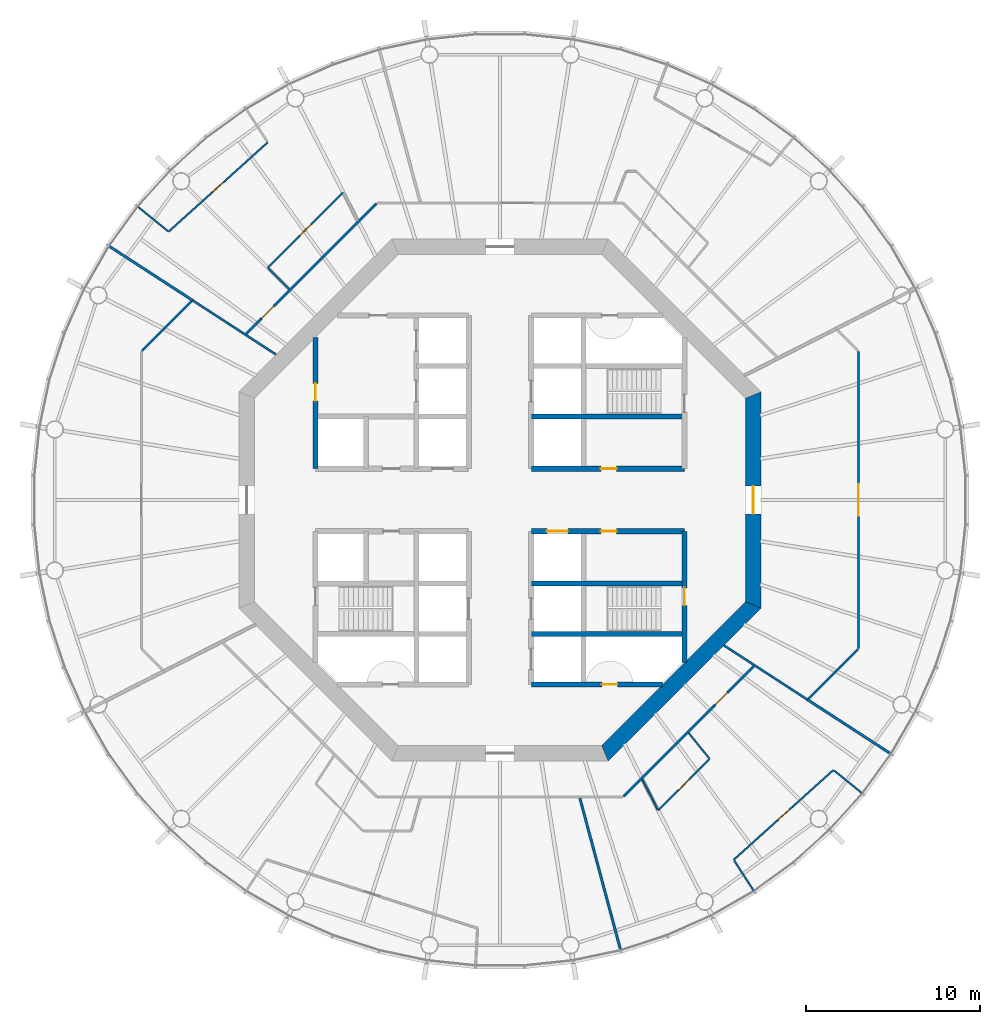
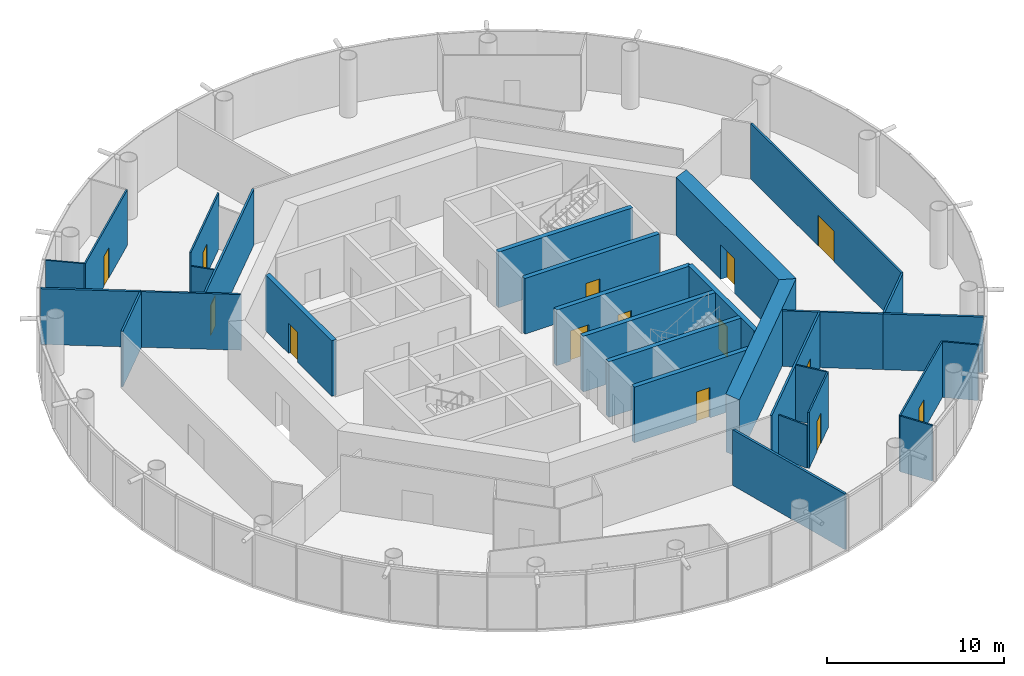
# One storey, part 4 of 13: 30 walls, 14 doors, 14 openings.
"""IFC4 building model written with IfcOpenShell, lengths in metres."""

from ifc_helpers import new_model, si_unit, direction, frame, frame_2d, origin, place, context, subcontext, project, spatial, polyline, rectangle, outline, extrude, material, layer, layer_set, type_object, element, fill, save


model = new_model("IFC4")

# Units and contexts
model_context = context("Model", 3, precision=1e-05, world=origin(), true_north=direction((0.0, 1.0)))
body_context = subcontext(model_context, "Body", "Model", "MODEL_VIEW")
ifc_project = project(units=[si_unit("LENGTHUNIT", "METRE"), si_unit("AREAUNIT", "SQUARE_METRE"), si_unit("VOLUMEUNIT", "CUBIC_METRE"), si_unit("PLANEANGLEUNIT", "RADIAN"), si_unit("MASSUNIT", "GRAM", prefix="KILO")], contexts=[model_context])

# Site, building, storey
site_placement = place(None, origin())
site = spatial("IfcSite", under=ifc_project, at=site_placement, CompositionType="ELEMENT")
building_placement = place(site_placement, origin())
building = spatial("IfcBuilding", under=site, at=building_placement, Name="Entoto Ring Tower", CompositionType="ELEMENT")
storey_placement = place(building_placement, frame((0.0, 0.0, 226.0)))
storey = spatial("IfcBuildingStorey", under=building, at=storey_placement, Name="L52", CompositionType="ELEMENT", Elevation=226.0)

# Wall, opening, door
ifc_material_1 = material(Name="Concrete C40/50", Category="concrete")
ifc_layer_1 = layer(ifc_material_1, 0.300048828125)
ifc_layer_set_1 = layer_set([ifc_layer_1], Name="Concrete C40/50")
wall_type_1 = type_object("IfcWallType", Name="Core enclosure wall 300 mm reinforced concrete", PredefinedType="SOLIDWALL", material=ifc_layer_set_1)
wall_1_placement = place(storey_placement, frame((100.60009765625, 70.65966796875, 0.0), z_axis=(0.0, 0.0, 1.0), x_axis=(0.0, 1.0, 0.0)))
wall_1 = element("IfcWall", 1, at=wall_1_placement, inside=storey, type_object=wall_type_1, Name="wall-L52-001", PredefinedType="SOLIDWALL", context=body_context, shape_type="SweptSolid", body=[
    extrude(rectangle(XDim=7.540283203125, YDim=0.300048828125, at=frame_2d((3.77001953125, 0.0))), origin(), (0.0, 0.0, 1.0), 3.85009765625),
])
opening_1_placement = place(wall_1_placement, frame((3.290283203125, 0.0, 0.0)))
opening_1 = element("IfcOpeningElement", 2, at=opening_1_placement, cuts=wall_1, Name="Opening K-17", PredefinedType="OPENING", context=body_context, shape_type="SweptSolid", body=[
    extrude(rectangle(XDim=1.0, YDim=2.10009765625, at=frame_2d((0.5, 1.050048828125))), frame((0.0, 0.16015625, 0.0), z_axis=(0.0, -1.0, 0.0), x_axis=(1.0, 0.0, 0.0)), (0.0, 0.0, 1.0), 0.320068359375),
])
ifc_material_2 = material(Name="Steel door leaf, fire rated", Category="steel")
ifc_layer_2 = layer(ifc_material_2, 0.050048828125)
ifc_layer_set_2 = layer_set([ifc_layer_2], Name="Steel door leaf, fire rated")
door_type_1 = type_object("IfcDoorType", Name="Fire door FD60 1000 x 2100 single leaf", OperationType="NOTDEFINED", PredefinedType="DOOR", material=ifc_layer_set_2)
door_1_placement = place(opening_1_placement, origin())
door_1 = element("IfcDoor", 3, at=door_1_placement, inside=storey, type_object=door_type_1, Name="Door K-17", OperationType="SINGLE_SWING_RIGHT", OverallHeight=2.10009765625, OverallWidth=1.0, PredefinedType="DOOR", context=body_context, shape_type="SweptSolid", body=[
    extrude(rectangle(XDim=1.0, YDim=2.10009765625, at=frame_2d((0.5, 1.050048828125))), frame((0.0, 0.02490234375, 0.0), z_axis=(0.0, -1.0, 0.0), x_axis=(1.0, 0.0, 0.0)), (0.0, 0.0, 1.0), 0.050048828125),
])
fill(opening_1, door_1)

wall_2_placement = place(storey_placement, frame((79.39990234375, 81.800048828125, 0.0), z_axis=(0.0, 0.0, 1.0), x_axis=(0.0, 1.0, 0.0)))
wall_2 = element("IfcWall", 4, at=wall_2_placement, inside=storey, type_object=wall_type_1, Name="wall-L52-014", PredefinedType="SOLIDWALL", context=body_context, shape_type="SweptSolid", body=[
    extrude(rectangle(XDim=7.540283203125, YDim=0.300048828125, at=frame_2d((3.77001953125, 0.0))), origin(), (0.0, 0.0, 1.0), 3.85009765625),
])
opening_2_placement = place(wall_2_placement, frame((3.89990234375, 0.0, 0.0)))
opening_2 = element("IfcOpeningElement", 5, at=opening_2_placement, cuts=wall_2, Name="Opening K-67", PredefinedType="OPENING", context=body_context, shape_type="SweptSolid", body=[
    extrude(rectangle(XDim=1.0, YDim=2.10009765625, at=frame_2d((0.5, 1.050048828125))), frame((0.0, 0.16015625, 0.0), z_axis=(0.0, -1.0, 0.0), x_axis=(1.0, 0.0, 0.0)), (0.0, 0.0, 1.0), 0.320068359375),
])
door_2_placement = place(opening_2_placement, frame((1.0, 0.0, 0.0), z_axis=(0.0, 0.0, 1.0), x_axis=(-1.0, 0.0, 0.0)))
door_2 = element("IfcDoor", 6, at=door_2_placement, inside=storey, type_object=door_type_1, Name="Door K-67", OperationType="SINGLE_SWING_RIGHT", OverallHeight=2.10009765625, OverallWidth=1.0, PredefinedType="DOOR", context=body_context, shape_type="SweptSolid", body=[
    extrude(rectangle(XDim=1.0, YDim=2.10009765625, at=frame_2d((0.5, 1.050048828125))), frame((0.0, 0.02490234375, 0.0), z_axis=(0.0, -1.0, 0.0), x_axis=(1.0, 0.0, 0.0)), (0.0, 0.0, 1.0), 0.050048828125),
])
fill(opening_2, door_2)

wall_3_placement = place(storey_placement, frame((91.800048828125, 69.39990234375, 0.0), z_axis=(0.0, 0.0, 1.0), x_axis=(1.0, 0.0, 0.0)))
wall_3 = element("IfcWall", 7, at=wall_3_placement, inside=storey, type_object=wall_type_1, Name="wall-L52-016", PredefinedType="SOLIDWALL", context=body_context, shape_type="SweptSolid", body=[
    extrude(rectangle(XDim=7.540283203125, YDim=0.300048828125, at=frame_2d((3.77001953125, 0.0))), origin(), (0.0, 0.0, 1.0), 3.85009765625),
])
opening_3_placement = place(wall_3_placement, frame((4.050048828125, 0.0, 0.0)))
opening_3 = element("IfcOpeningElement", 8, at=opening_3_placement, cuts=wall_3, Name="Opening K-20", PredefinedType="OPENING", context=body_context, shape_type="SweptSolid", body=[
    extrude(rectangle(XDim=0.89990234375, YDim=2.10009765625, at=frame_2d((0.449951171875, 1.050048828125))), frame((0.0, 0.16015625, 0.0), z_axis=(0.0, -1.0, 0.0), x_axis=(1.0, 0.0, 0.0)), (0.0, 0.0, 1.0), 0.320068359375),
])
ifc_material_3 = material(Name="Steel door leaf, fire rated", Category="steel")
ifc_layer_3 = layer(ifc_material_3, 0.050048828125)
ifc_layer_set_3 = layer_set([ifc_layer_3], Name="Steel door leaf, fire rated")
door_type_2 = type_object("IfcDoorType", Name="Riser door FD60 900 x 2100 single leaf", OperationType="NOTDEFINED", PredefinedType="DOOR", material=ifc_layer_set_3)
door_3_placement = place(opening_3_placement, origin())
door_3 = element("IfcDoor", 9, at=door_3_placement, inside=storey, type_object=door_type_2, Name="Door K-20", OperationType="SINGLE_SWING_LEFT", OverallHeight=2.10009765625, OverallWidth=0.89990234375, PredefinedType="DOOR", context=body_context, shape_type="SweptSolid", body=[
    extrude(rectangle(XDim=0.89990234375, YDim=2.10009765625, at=frame_2d((0.449951171875, 1.050048828125))), frame((0.0, 0.02490234375, 0.0), z_axis=(0.0, -1.0, 0.0), x_axis=(1.0, 0.0, 0.0)), (0.0, 0.0, 1.0), 0.050048828125),
])
fill(opening_3, door_3)

# Walls
for number, where, z_axis, x_axis, name in (
    (10, (91.800048828125, 72.300048828125, 0.0), (0.0, 0.0, 1.0), (1.0, 0.0, 0.0), "wall-L52-018"),
    (11, (91.800048828125, 75.199951171875, 0.0), (0.0, 0.0, 1.0), (1.0, 0.0, 0.0), "wall-L52-020"),
):
    element("IfcWall", number, at=place(storey_placement, frame(where, z_axis=z_axis, x_axis=x_axis)), inside=storey, type_object=wall_type_1, Name=name, PredefinedType="SOLIDWALL", context=body_context, shape_type="SweptSolid", body=[
        extrude(rectangle(XDim=8.800048828125, YDim=0.300048828125, at=frame_2d((4.39990234375, 0.0))), origin(), (0.0, 0.0, 1.0), 3.85009765625),
    ])

# Wall, openings, doors
wall_4_placement = place(storey_placement, frame((91.800048828125, 78.199951171875, 0.0), z_axis=(0.0, 0.0, 1.0), x_axis=(1.0, 0.0, 0.0)))
wall_4 = element("IfcWall", 12, at=wall_4_placement, inside=storey, type_object=wall_type_1, Name="wall-L52-022", PredefinedType="SOLIDWALL", context=body_context, shape_type="SweptSolid", body=[
    extrude(rectangle(XDim=8.800048828125, YDim=0.300048828125, at=frame_2d((4.39990234375, 0.0))), origin(), (0.0, 0.0, 1.0), 3.85009765625),
])
opening_4_placement = place(wall_4_placement, frame((0.89990234375, 0.0, 0.0)))
opening_4 = element("IfcOpeningElement", 13, at=opening_4_placement, cuts=wall_4, Name="Opening LD", PredefinedType="OPENING", context=body_context, shape_type="SweptSolid", body=[
    extrude(rectangle(XDim=1.199951171875, YDim=2.10009765625, at=frame_2d((0.60009765625, 1.050048828125))), frame((0.0, 0.16015625, 0.0), z_axis=(0.0, -1.0, 0.0), x_axis=(1.0, 0.0, 0.0)), (0.0, 0.0, 1.0), 0.320068359375),
])
opening_5_placement = place(wall_4_placement, frame((4.0, 0.0, 0.0)))
opening_5 = element("IfcOpeningElement", 14, at=opening_5_placement, cuts=wall_4, Name="Opening K-12", PredefinedType="OPENING", context=body_context, shape_type="SweptSolid", body=[
    extrude(rectangle(XDim=0.89990234375, YDim=2.10009765625, at=frame_2d((0.449951171875, 1.050048828125))), frame((0.0, 0.16015625, 0.0), z_axis=(0.0, -1.0, 0.0), x_axis=(1.0, 0.0, 0.0)), (0.0, 0.0, 1.0), 0.320068359375),
])
ifc_material_4 = material(Name="Steel door leaf, fire rated", Category="steel")
ifc_layer_4 = layer(ifc_material_4, 0.050048828125)
ifc_layer_set_4 = layer_set([ifc_layer_4], Name="Steel door leaf, fire rated")
door_type_3 = type_object("IfcDoorType", Name="Core door 900 x 2100 single leaf", OperationType="NOTDEFINED", PredefinedType="DOOR", material=ifc_layer_set_4)
door_4_placement = place(opening_5_placement, frame((0.89990234375, 0.0, 0.0), z_axis=(0.0, 0.0, 1.0), x_axis=(-1.0, 0.0, 0.0)))
door_4 = element("IfcDoor", 15, at=door_4_placement, inside=storey, type_object=door_type_3, Name="Door K-12", OperationType="SINGLE_SWING_RIGHT", OverallHeight=2.10009765625, OverallWidth=0.89990234375, PredefinedType="DOOR", context=body_context, shape_type="SweptSolid", body=[
    extrude(rectangle(XDim=0.89990234375, YDim=2.10009765625, at=frame_2d((0.449951171875, 1.050048828125))), frame((0.0, 0.02490234375, 0.0), z_axis=(0.0, -1.0, 0.0), x_axis=(1.0, 0.0, 0.0)), (0.0, 0.0, 1.0), 0.050048828125),
])
fill(opening_5, door_4)
ifc_material_5 = material(Name="Steel and glass door leaf", Category="steel")
ifc_layer_5 = layer(ifc_material_5, 0.050048828125)
ifc_layer_set_5 = layer_set([ifc_layer_5], Name="Steel and glass door leaf")
door_type_4 = type_object("IfcDoorType", Name="Landing door 1200 x 2100 sliding", OperationType="DOUBLE_DOOR_SLIDING", PredefinedType="DOOR", material=ifc_layer_set_5)
door_5_placement = place(opening_4_placement, origin())
door_5 = element("IfcDoor", 16, at=door_5_placement, inside=storey, type_object=door_type_4, Name="Landing door LB6-MR", OperationType="SLIDING_TO_LEFT", OverallHeight=2.10009765625, OverallWidth=1.199951171875, PredefinedType="DOOR", context=body_context, shape_type="SweptSolid", body=[
    extrude(rectangle(XDim=1.199951171875, YDim=2.10009765625, at=frame_2d((0.60009765625, 1.050048828125))), frame((0.0, 0.02490234375, 0.0), z_axis=(0.0, -1.0, 0.0), x_axis=(1.0, 0.0, 0.0)), (0.0, 0.0, 1.0), 0.050048828125),
])
fill(opening_4, door_5)

# Wall, opening, door
wall_5_placement = place(storey_placement, frame((91.800048828125, 81.800048828125, 0.0), z_axis=(0.0, 0.0, 1.0), x_axis=(1.0, 0.0, 0.0)))
wall_5 = element("IfcWall", 17, at=wall_5_placement, inside=storey, type_object=wall_type_1, Name="wall-L52-024", PredefinedType="SOLIDWALL", context=body_context, shape_type="SweptSolid", body=[
    extrude(rectangle(XDim=8.800048828125, YDim=0.300048828125, at=frame_2d((4.39990234375, 0.0))), origin(), (0.0, 0.0, 1.0), 3.85009765625),
])
opening_6_placement = place(wall_5_placement, frame((4.0, 0.0, 0.0)))
opening_6 = element("IfcOpeningElement", 18, at=opening_6_placement, cuts=wall_5, Name="Opening K-11", PredefinedType="OPENING", context=body_context, shape_type="SweptSolid", body=[
    extrude(rectangle(XDim=0.89990234375, YDim=2.10009765625, at=frame_2d((0.449951171875, 1.050048828125))), frame((0.0, 0.16015625, 0.0), z_axis=(0.0, -1.0, 0.0), x_axis=(1.0, 0.0, 0.0)), (0.0, 0.0, 1.0), 0.320068359375),
])
door_6_placement = place(opening_6_placement, origin())
door_6 = element("IfcDoor", 19, at=door_6_placement, inside=storey, type_object=door_type_3, Name="Door K-11", OperationType="SINGLE_SWING_LEFT", OverallHeight=2.10009765625, OverallWidth=0.89990234375, PredefinedType="DOOR", context=body_context, shape_type="SweptSolid", body=[
    extrude(rectangle(XDim=0.89990234375, YDim=2.10009765625, at=frame_2d((0.449951171875, 1.050048828125))), frame((0.0, 0.02490234375, 0.0), z_axis=(0.0, -1.0, 0.0), x_axis=(1.0, 0.0, 0.0)), (0.0, 0.0, 1.0), 0.050048828125),
])
fill(opening_6, door_6)

# Wall
wall_6_placement = place(storey_placement, frame((91.800048828125, 84.800048828125, 0.0), z_axis=(0.0, 0.0, 1.0), x_axis=(1.0, 0.0, 0.0)))
element("IfcWall", 20, at=wall_6_placement, inside=storey, type_object=wall_type_1, Name="wall-L52-026", PredefinedType="SOLIDWALL", context=body_context, shape_type="SweptSolid", body=[
    extrude(rectangle(XDim=8.800048828125, YDim=0.300048828125, at=frame_2d((4.39990234375, 0.0))), origin(), (0.0, 0.0, 1.0), 3.85009765625),
])

# Wall, opening, door
ifc_material_6 = material(Name="Concrete C50/60", Category="concrete")
ifc_layer_6 = layer(ifc_material_6, 0.89990234375)
ifc_layer_set_6 = layer_set([ifc_layer_6], Name="Concrete C50/60")
wall_type_2 = type_object("IfcWallType", Name="Core shear wall 900 mm reinforced concrete C50/60", PredefinedType="SHEAR", material=ifc_layer_set_6)
wall_7_placement = place(storey_placement, frame((104.550048828125, 73.97314453125, 0.0), z_axis=(0.0, 0.0, 1.0), x_axis=(0.0, 1.0, 0.0)))
wall_7 = element("IfcWall", 21, at=wall_7_placement, inside=storey, type_object=wall_type_2, Name="wall-L52-core-0", PredefinedType="SHEAR", context=body_context, shape_type="SweptSolid", body=[
    extrude(outline(polyline([(-0.186279296875, -0.449951171875), (12.239990234375, -0.449951171875), (11.867431640625, 0.449951171875), (0.186279296875, 0.449951171875), (-0.186279296875, -0.449951171875)])), origin(), (0.0, 0.0, 1.0), 4.0),
])
opening_7_placement = place(wall_7_placement, frame((5.226806640625, 0.0, 0.0)))
opening_7 = element("IfcOpeningElement", 22, at=opening_7_placement, cuts=wall_7, Name="Opening K-01", PredefinedType="OPENING", context=body_context, shape_type="SweptSolid", body=[
    extrude(rectangle(XDim=1.60009765625, YDim=2.39990234375, at=frame_2d((0.800048828125, 1.199951171875))), frame((0.0, 0.4599609375, 0.0), z_axis=(0.0, -1.0, 0.0), x_axis=(1.0, 0.0, 0.0)), (0.0, 0.0, 1.0), 0.919921875),
])
ifc_material_7 = material(Name="Steel door leaf, fire rated", Category="steel")
ifc_layer_7 = layer(ifc_material_7, 0.050048828125)
ifc_layer_set_7 = layer_set([ifc_layer_7], Name="Steel door leaf, fire rated")
door_type_5 = type_object("IfcDoorType", Name="Entrance door FD60 1600 x 2400 double leaf", OperationType="DOUBLE_DOOR_SINGLE_SWING", PredefinedType="DOOR", material=ifc_layer_set_7)
door_7_placement = place(opening_7_placement, origin())
door_7 = element("IfcDoor", 23, at=door_7_placement, inside=storey, type_object=door_type_5, Name="Entrance door K-01", OperationType="DOUBLE_DOOR_SINGLE_SWING", OverallHeight=2.39990234375, OverallWidth=1.60009765625, PredefinedType="DOOR", context=body_context, shape_type="SweptSolid", body=[
    extrude(rectangle(XDim=1.60009765625, YDim=2.39990234375, at=frame_2d((0.800048828125, 1.199951171875))), frame((0.0, 0.02490234375, 0.0), z_axis=(0.0, -1.0, 0.0), x_axis=(1.0, 0.0, 0.0)), (0.0, 0.0, 1.0), 0.050048828125),
])
fill(opening_7, door_7)

# Wall
wall_8_placement = place(storey_placement, frame((96.02685546875, 65.449951171875, 0.0), z_axis=(0.0, 0.0, 1.0), x_axis=(0.707106781187, 0.707106781187, 0.0)))
element("IfcWall", 24, at=wall_8_placement, inside=storey, type_object=wall_type_2, Name="wall-L52-core-7", PredefinedType="SHEAR", context=body_context, shape_type="SweptSolid", body=[
    extrude(outline(polyline([(-0.186279296875, -0.449951171875), (12.239990234375, -0.449951171875), (11.867431640625, 0.449951171875), (0.186279296875, 0.449951171875), (-0.186279296875, -0.449951171875)])), origin(), (0.0, 0.0, 1.0), 4.0),
])

# Wall, opening, door
ifc_material_8 = material(Name="Fire-resisting plasterboard on steel studs", Category="steel")
ifc_layer_8 = layer(ifc_material_8, 0.125)
ifc_layer_set_8 = layer_set([ifc_layer_8], Name="Fire-resisting plasterboard on steel studs")
wall_type_3 = type_object("IfcWallType", Name="Corridor wall 125 mm one-hour plasterboard on steel studs", PredefinedType="PARTITIONING", material=ifc_layer_set_8)
wall_9_placement = place(storey_placement, frame((110.60009765625, 71.46728515625, 0.0), z_axis=(0.0, 0.0, 1.0), x_axis=(0.0, 1.0, 0.0)))
wall_9 = element("IfcWall", 25, at=wall_9_placement, inside=storey, type_object=wall_type_3, Name="partition-L52-002", PredefinedType="PARTITIONING", context=body_context, shape_type="SweptSolid", body=[
    extrude(rectangle(XDim=17.0654296875, YDim=0.125, at=frame_2d((8.53271484375, 0.0))), origin(), (0.0, 0.0, 1.0), 3.85009765625),
])
opening_8_placement = place(wall_9_placement, frame((7.6328125, 0.0, 0.0)))
opening_8 = element("IfcOpeningElement", 26, at=opening_8_placement, cuts=wall_9, Name="Opening A22-D01", PredefinedType="OPENING", context=body_context, shape_type="SweptSolid", body=[
    extrude(rectangle(XDim=1.800048828125, YDim=2.10009765625, at=frame_2d((0.89990234375, 1.050048828125))), frame((0.0, 0.072509765625, 0.0), z_axis=(0.0, -1.0, 0.0), x_axis=(1.0, 0.0, 0.0)), (0.0, 0.0, 1.0), 0.14501953125),
])
ifc_material_9 = material(Name="Fire-resisting timber door set", Category="wood")
door_type_6 = type_object("IfcDoorType", Name="Door 1800 x 2100 double leaf FD30S fire door", OperationType="DOUBLE_DOOR_SINGLE_SWING", PredefinedType="DOOR", material=ifc_material_9)
door_8_placement = place(opening_8_placement, frame((1.800048828125, 0.0, 0.0), z_axis=(0.0, 0.0, 1.0), x_axis=(-1.0, 0.0, 0.0)))
door_8 = element("IfcDoor", 27, at=door_8_placement, inside=storey, type_object=door_type_6, Name="Door A22-D01", OperationType="DOUBLE_DOOR_SINGLE_SWING", OverallHeight=2.10009765625, OverallWidth=1.800048828125, PredefinedType="DOOR", context=body_context, shape_type="SweptSolid", body=[
    extrude(rectangle(XDim=1.800048828125, YDim=2.10009765625, at=frame_2d((0.89990234375, 1.050048828125))), frame((0.0, 0.02490234375, 0.0), z_axis=(0.0, -1.0, 0.0), x_axis=(1.0, 0.0, 0.0)), (0.0, 0.0, 1.0), 0.050048828125),
])
fill(opening_8, door_8)

wall_10_placement = place(storey_placement, frame((75.425048828125, 89.554931640625, 0.0), z_axis=(0.0, 0.0, 1.0), x_axis=(0.707095235926, 0.707118326258, 0.0)))
wall_10 = element("IfcWall", 28, at=wall_10_placement, inside=storey, type_object=wall_type_3, Name="partition-L52-007", PredefinedType="PARTITIONING", context=body_context, shape_type="SweptSolid", body=[
    extrude(rectangle(XDim=10.5732421875, YDim=0.125, at=frame_2d((5.28662109375, 0.0))), origin(), (0.0, 0.0, 1.0), 3.85009765625),
])
opening_9_placement = place(wall_10_placement, frame((1.236328125, 0.0, 0.0)))
opening_9 = element("IfcOpeningElement", 29, at=opening_9_placement, cuts=wall_10, Name="Opening A22-D07", PredefinedType="OPENING", context=body_context, shape_type="SweptSolid", body=[
    extrude(rectangle(XDim=1.0, YDim=2.10009765625, at=frame_2d((0.5, 1.050048828125))), frame((0.0, 0.072509765625, 0.0), z_axis=(0.0, -1.0, 0.0), x_axis=(1.0, 0.0, 0.0)), (0.0, 0.0, 1.0), 0.14501953125),
])
ifc_material_10 = material(Name="Fire-resisting timber door set", Category="wood")
door_type_7 = type_object("IfcDoorType", Name="Door 1000 x 2100 single leaf FD30S fire door", OperationType="NOTDEFINED", PredefinedType="DOOR", material=ifc_material_10)
door_9_placement = place(opening_9_placement, origin())
door_9 = element("IfcDoor", 30, at=door_9_placement, inside=storey, type_object=door_type_7, Name="Door A22-D07", OperationType="SINGLE_SWING_RIGHT", OverallHeight=2.10009765625, OverallWidth=1.0, PredefinedType="DOOR", context=body_context, shape_type="SweptSolid", body=[
    extrude(rectangle(XDim=1.0, YDim=2.10009765625, at=frame_2d((0.5, 1.050048828125))), frame((0.0, 0.02490234375, 0.0), z_axis=(0.0, -1.0, 0.0), x_axis=(1.0, 0.0, 0.0)), (0.0, 0.0, 1.0), 0.050048828125),
])
fill(opening_9, door_9)

wall_11_placement = place(storey_placement, frame((97.0986328125, 62.968505859375, 0.0), z_axis=(0.0, 0.0, 1.0), x_axis=(0.707095235926, 0.707118326258, 0.0)))
wall_11 = element("IfcWall", 31, at=wall_11_placement, inside=storey, type_object=wall_type_3, Name="partition-L52-008", PredefinedType="PARTITIONING", context=body_context, shape_type="SweptSolid", body=[
    extrude(rectangle(XDim=10.5732421875, YDim=0.125, at=frame_2d((5.28662109375, 0.0))), origin(), (0.0, 0.0, 1.0), 3.85009765625),
])
opening_10_placement = place(wall_11_placement, frame((7.440185546875, 0.0, 0.0)))
opening_10 = element("IfcOpeningElement", 32, at=opening_10_placement, cuts=wall_11, Name="Opening A22-D14", PredefinedType="OPENING", context=body_context, shape_type="SweptSolid", body=[
    extrude(rectangle(XDim=1.0, YDim=2.10009765625, at=frame_2d((0.5, 1.050048828125))), frame((0.0, 0.072509765625, 0.0), z_axis=(0.0, -1.0, 0.0), x_axis=(1.0, 0.0, 0.0)), (0.0, 0.0, 1.0), 0.14501953125),
])
door_10_placement = place(opening_10_placement, frame((1.0, 0.0, 0.0), z_axis=(0.0, 0.0, 1.0), x_axis=(-1.0, 0.0, 0.0)))
door_10 = element("IfcDoor", 33, at=door_10_placement, inside=storey, type_object=door_type_7, Name="Door A22-D14", OperationType="SINGLE_SWING_RIGHT", OverallHeight=2.10009765625, OverallWidth=1.0, PredefinedType="DOOR", context=body_context, shape_type="SweptSolid", body=[
    extrude(rectangle(XDim=1.0, YDim=2.10009765625, at=frame_2d((0.5, 1.050048828125))), frame((0.0, 0.02490234375, 0.0), z_axis=(0.0, -1.0, 0.0), x_axis=(1.0, 0.0, 0.0)), (0.0, 0.0, 1.0), 0.050048828125),
])
fill(opening_10, door_10)

# Walls
for number, where, z_axis, x_axis, name in (
    (34, (107.66259765625, 68.52978515625, 0.0), (0.0, 0.0, 1.0), (-0.838668603263, 0.544642060349, 0.0), "partition-L52-011"),
    (35, (77.138916015625, 88.35205078125, 0.0), (0.0, 0.0, 1.0), (-0.838668603263, 0.544642060349, 0.0), "partition-L52-012"),
):
    element("IfcWall", number, at=place(storey_placement, frame(where, z_axis=z_axis, x_axis=x_axis)), inside=storey, type_object=wall_type_3, Name=name, PredefinedType="PARTITIONING", context=body_context, shape_type="SweptSolid", body=[
        extrude(rectangle(XDim=5.72509765625, YDim=0.125, at=frame_2d((2.862548828125, 0.0))), origin(), (0.0, 0.0, 1.0), 3.85009765625),
    ])
for number, where, z_axis, x_axis, name in (
    (36, (69.43115234375, 88.56396484375, 0.0), (0.0, 0.0, 1.0), (0.707106781187, 0.707106781187, 0.0), "partition-L52-013"),
    (37, (107.72607421875, 68.59326171875, 0.0), (0.0, 0.0, 1.0), (0.707106781187, 0.707106781187, 0.0), "partition-L52-014"),
):
    element("IfcWall", number, at=place(storey_placement, frame(where, z_axis=z_axis, x_axis=x_axis)), inside=storey, type_object=wall_type_3, Name=name, PredefinedType="PARTITIONING", context=body_context, shape_type="SweptSolid", body=[
        extrude(rectangle(XDim=4.020263671875, YDim=0.125, at=frame_2d((2.01025390625, 0.0))), origin(), (0.0, 0.0, 1.0), 3.85009765625),
    ])

# Wall, opening, door
ifc_material_11 = material(Name="Plasterboard on steel studs", Category="steel")
ifc_layer_9 = layer(ifc_material_11, 0.10009765625)
ifc_layer_set_9 = layer_set([ifc_layer_9], Name="Plasterboard on steel studs")
wall_type_4 = type_object("IfcWallType", Name="Partition 100 mm plasterboard on steel studs", PredefinedType="PARTITIONING", material=ifc_layer_set_9)
wall_12_placement = place(storey_placement, frame((103.42529296875, 59.326904296875, 0.0), z_axis=(0.0, 0.0, 1.0), x_axis=(0.743144588405, 0.669130869654, 0.0)))
wall_12 = element("IfcWall", 38, at=wall_12_placement, inside=storey, type_object=wall_type_4, Name="partition-L52-025", PredefinedType="PARTITIONING", context=body_context, shape_type="SweptSolid", body=[
    extrude(rectangle(XDim=7.712158203125, YDim=0.10009765625, at=frame_2d((3.85595703125, 0.0))), origin(), (0.0, 0.0, 1.0), 3.85009765625),
])
opening_11_placement = place(wall_12_placement, frame((3.406005859375, 0.0, 0.0)))
opening_11 = element("IfcOpeningElement", 39, at=opening_11_placement, cuts=wall_12, Name="Opening A22-D16", PredefinedType="OPENING", context=body_context, shape_type="SweptSolid", body=[
    extrude(rectangle(XDim=0.89990234375, YDim=2.10009765625, at=frame_2d((0.449951171875, 1.050048828125))), frame((0.0, 0.06005859375, 0.0), z_axis=(0.0, -1.0, 0.0), x_axis=(1.0, 0.0, 0.0)), (0.0, 0.0, 1.0), 0.1201171875),
])
ifc_material_12 = material(Name="Veneered timber door leaf in timber frame", Category="wood")
door_type_8 = type_object("IfcDoorType", Name="Door 900 x 2100 single leaf timber veneer", OperationType="NOTDEFINED", PredefinedType="DOOR", material=ifc_material_12)
door_11_placement = place(opening_11_placement, frame((0.89990234375, 0.0, 0.0), z_axis=(0.0, 0.0, 1.0), x_axis=(-1.0, 0.0, 0.0)))
door_11 = element("IfcDoor", 40, at=door_11_placement, inside=storey, type_object=door_type_8, Name="Door A22-D16", OperationType="SINGLE_SWING_LEFT", OverallHeight=2.10009765625, OverallWidth=0.89990234375, PredefinedType="DOOR", context=body_context, shape_type="SweptSolid", body=[
    extrude(rectangle(XDim=0.89990234375, YDim=2.10009765625, at=frame_2d((0.449951171875, 1.050048828125))), frame((0.0, 0.02490234375, 0.0), z_axis=(0.0, -1.0, 0.0), x_axis=(1.0, 0.0, 0.0)), (0.0, 0.0, 1.0), 0.050048828125),
])
fill(opening_11, door_11)

wall_13_placement = place(storey_placement, frame((70.9599609375, 95.41845703125, 0.0), z_axis=(0.0, 0.0, 1.0), x_axis=(0.743148423314, 0.669126610534, 0.0)))
wall_13 = element("IfcWall", 41, at=wall_13_placement, inside=storey, type_object=wall_type_4, Name="partition-L52-026", PredefinedType="PARTITIONING", context=body_context, shape_type="SweptSolid", body=[
    extrude(rectangle(XDim=7.6650390625, YDim=0.10009765625, at=frame_2d((3.83251953125, 0.0))), origin(), (0.0, 0.0, 1.0), 3.85009765625),
])
opening_12_placement = place(wall_13_placement, frame((3.382568359375, 0.0, 0.0)))
opening_12 = element("IfcOpeningElement", 42, at=opening_12_placement, cuts=wall_13, Name="Opening A22-D09", PredefinedType="OPENING", context=body_context, shape_type="SweptSolid", body=[
    extrude(rectangle(XDim=0.89990234375, YDim=2.10009765625, at=frame_2d((0.449951171875, 1.050048828125))), frame((0.0, 0.06005859375, 0.0), z_axis=(0.0, -1.0, 0.0), x_axis=(1.0, 0.0, 0.0)), (0.0, 0.0, 1.0), 0.1201171875),
])
door_12_placement = place(opening_12_placement, origin())
door_12 = element("IfcDoor", 43, at=door_12_placement, inside=storey, type_object=door_type_8, Name="Door A22-D09", OperationType="SINGLE_SWING_LEFT", OverallHeight=2.10009765625, OverallWidth=0.89990234375, PredefinedType="DOOR", context=body_context, shape_type="SweptSolid", body=[
    extrude(rectangle(XDim=0.89990234375, YDim=2.10009765625, at=frame_2d((0.449951171875, 1.050048828125))), frame((0.0, 0.02490234375, 0.0), z_axis=(0.0, -1.0, 0.0), x_axis=(1.0, 0.0, 0.0)), (0.0, 0.0, 1.0), 0.050048828125),
])
fill(opening_12, door_12)

wall_14_placement = place(storey_placement, frame((76.655029296875, 93.344970703125, 0.0), z_axis=(0.0, 0.0, 1.0), x_axis=(0.707126687631, 0.707086874181, 0.0)))
wall_14 = element("IfcWall", 44, at=wall_14_placement, inside=storey, type_object=wall_type_4, Name="partition-L52-027", PredefinedType="PARTITIONING", context=body_context, shape_type="SweptSolid", body=[
    extrude(rectangle(XDim=6.132080078125, YDim=0.10009765625, at=frame_2d((3.06591796875, 0.0))), origin(), (0.0, 0.0, 1.0), 3.85009765625),
])
opening_13_placement = place(wall_14_placement, frame((2.615966796875, 0.0, 0.0)))
opening_13 = element("IfcOpeningElement", 45, at=opening_13_placement, cuts=wall_14, Name="Opening A22-D08", PredefinedType="OPENING", context=body_context, shape_type="SweptSolid", body=[
    extrude(rectangle(XDim=0.89990234375, YDim=2.10009765625, at=frame_2d((0.449951171875, 1.050048828125))), frame((0.0, 0.06005859375, 0.0), z_axis=(0.0, -1.0, 0.0), x_axis=(1.0, 0.0, 0.0)), (0.0, 0.0, 1.0), 0.1201171875),
])
door_13_placement = place(opening_13_placement, frame((0.89990234375, 0.0, 0.0), z_axis=(0.0, 0.0, 1.0), x_axis=(-1.0, 0.0, 0.0)))
door_13 = element("IfcDoor", 46, at=door_13_placement, inside=storey, type_object=door_type_8, Name="Door A22-D08", OperationType="SINGLE_SWING_LEFT", OverallHeight=2.10009765625, OverallWidth=0.89990234375, PredefinedType="DOOR", context=body_context, shape_type="SweptSolid", body=[
    extrude(rectangle(XDim=0.89990234375, YDim=2.10009765625, at=frame_2d((0.449951171875, 1.050048828125))), frame((0.0, 0.02490234375, 0.0), z_axis=(0.0, -1.0, 0.0), x_axis=(1.0, 0.0, 0.0)), (0.0, 0.0, 1.0), 0.050048828125),
])
fill(opening_13, door_13)

wall_15_placement = place(storey_placement, frame((99.090087890625, 62.159912109375, 0.0), z_axis=(0.0, 0.0, 1.0), x_axis=(0.707106781187, 0.707106781187, 0.0)))
wall_15 = element("IfcWall", 47, at=wall_15_placement, inside=storey, type_object=wall_type_4, Name="partition-L52-029", PredefinedType="PARTITIONING", context=body_context, shape_type="SweptSolid", body=[
    extrude(rectangle(XDim=4.185791015625, YDim=0.10009765625, at=frame_2d((2.0927734375, 0.0))), origin(), (0.0, 0.0, 1.0), 3.85009765625),
])
opening_14_placement = place(wall_15_placement, frame((1.642822265625, 0.0, 0.0)))
opening_14 = element("IfcOpeningElement", 48, at=opening_14_placement, cuts=wall_15, Name="Opening A22-D15", PredefinedType="OPENING", context=body_context, shape_type="SweptSolid", body=[
    extrude(rectangle(XDim=0.89990234375, YDim=2.10009765625, at=frame_2d((0.449951171875, 1.050048828125))), frame((0.0, 0.06005859375, 0.0), z_axis=(0.0, -1.0, 0.0), x_axis=(1.0, 0.0, 0.0)), (0.0, 0.0, 1.0), 0.1201171875),
])
door_14_placement = place(opening_14_placement, origin())
door_14 = element("IfcDoor", 49, at=door_14_placement, inside=storey, type_object=door_type_8, Name="Door A22-D15", OperationType="SINGLE_SWING_LEFT", OverallHeight=2.10009765625, OverallWidth=0.89990234375, PredefinedType="DOOR", context=body_context, shape_type="SweptSolid", body=[
    extrude(rectangle(XDim=0.89990234375, YDim=2.10009765625, at=frame_2d((0.449951171875, 1.050048828125))), frame((0.0, 0.02490234375, 0.0), z_axis=(0.0, -1.0, 0.0), x_axis=(1.0, 0.0, 0.0)), (0.0, 0.0, 1.0), 0.050048828125),
])
fill(opening_14, door_14)

# Walls
wall_16_placement = place(storey_placement, frame((70.921630859375, 95.449462890625, 0.0), z_axis=(0.0, 0.0, 1.0), x_axis=(-0.77722410775, 0.629223876162, 0.0)))
element("IfcWall", 50, at=wall_16_placement, inside=storey, type_object=wall_type_4, Name="partition-L52-033", PredefinedType="PARTITIONING", context=body_context, shape_type="SweptSolid", body=[
    extrude(rectangle(XDim=2.190673828125, YDim=0.10009765625, at=frame_2d((1.09521484375, 0.0))), origin(), (0.0, 0.0, 1.0), 3.85009765625),
])
for number, where, z_axis, x_axis, name in (
    (51, (104.563720703125, 57.573974609375, 0.0), (0.0, 0.0, 1.0), (-0.544693962509, 0.838634895056, 0.0), "partition-L52-036"),
    (52, (110.781005859375, 63.172119140625, 0.0), (0.0, 0.0, 1.0), (-0.777166854362, 0.629294589585, 0.0), "partition-L52-037"),
):
    element("IfcWall", number, at=place(storey_placement, frame(where, z_axis=z_axis, x_axis=x_axis)), inside=storey, type_object=wall_type_4, Name=name, PredefinedType="PARTITIONING", context=body_context, shape_type="SweptSolid", body=[
        extrude(rectangle(XDim=2.040771484375, YDim=0.10009765625, at=frame_2d((1.0205078125, 0.0))), origin(), (0.0, 0.0, 1.0), 3.85009765625),
    ])
wall_17_placement = place(storey_placement, frame((102.0185546875, 65.158203125, 0.0), z_axis=(0.0, 0.0, 1.0), x_axis=(-0.629261966188, 0.777193269341, 0.0)))
element("IfcWall", 53, at=wall_17_placement, inside=storey, type_object=wall_type_4, Name="partition-L52-043", PredefinedType="PARTITIONING", context=body_context, shape_type="SweptSolid", body=[
    extrude(rectangle(XDim=1.873046875, YDim=0.10009765625, at=frame_2d((0.9365234375, 0.0))), origin(), (0.0, 0.0, 1.0), 3.85009765625),
])
ifc_material_13 = material(Name="Plasterboard on steel studs", Category="steel")
ifc_layer_10 = layer(ifc_material_13, 0.10009765625)
ifc_layer_set_10 = layer_set([ifc_layer_10], Name="Plasterboard on steel studs")
wall_type_5 = type_object("IfcWallType", Name="Partition 100 mm plasterboard on steel studs, 2950 mm high", PredefinedType="PARTITIONING", material=ifc_layer_set_10)
wall_18_placement = place(storey_placement, frame((99.058837890625, 62.220947265625, 0.0), z_axis=(0.0, 0.0, 1.0), x_axis=(-0.454026133406, 0.890988367031, 0.0)))
element("IfcWall", 54, at=wall_18_placement, inside=storey, type_object=wall_type_5, Name="partition-L52-038", PredefinedType="PARTITIONING", context=body_context, shape_type="SweptSolid", body=[
    extrude(rectangle(XDim=1.931396484375, YDim=0.10009765625, at=frame_2d((0.9658203125, 0.0))), origin(), (0.0, 0.0, 1.0), 2.949951171875),
])
wall_19_placement = place(storey_placement, frame((77.890625, 92.109375, 0.0), z_axis=(0.0, 0.0, 1.0), x_axis=(-0.707106781187, 0.707106781187, 0.0)))
element("IfcWall", 55, at=wall_19_placement, inside=storey, type_object=wall_type_5, Name="partition-L52-047", PredefinedType="PARTITIONING", context=body_context, shape_type="SweptSolid", body=[
    extrude(rectangle(XDim=1.697021484375, YDim=0.10009765625, at=frame_2d((0.8486328125, 0.0))), origin(), (0.0, 0.0, 1.0), 2.949951171875),
])
ifc_material_14 = material(Name="Fire-resisting acoustic plasterboard on steel studs", Category="steel")
ifc_layer_11 = layer(ifc_material_14, 0.14990234375)
ifc_layer_set_11 = layer_set([ifc_layer_11], Name="Fire-resisting acoustic plasterboard on steel studs")
wall_type_6 = type_object("IfcWallType", Name="Party wall 150 mm one-hour acoustic plasterboard on steel studs", PredefinedType="PARTITIONING", material=ifc_layer_set_11)
wall_20_placement = place(storey_placement, frame((96.9208984375, 54.171142578125, 0.0), z_axis=(0.0, 0.0, 1.0), x_axis=(-0.258831999562, 0.965922355059, 0.0)))
element("IfcWall", 56, at=wall_20_placement, inside=storey, type_object=wall_type_6, Name="partition-L52-018", PredefinedType="PARTITIONING", context=body_context, shape_type="SweptSolid", body=[
    extrude(rectangle(XDim=8.990966796875, YDim=0.14990234375, at=frame_2d((4.49560546875, 0.0))), origin(), (0.0, 0.0, 1.0), 3.85009765625),
])
for number, where, z_axis, x_axis, name in (
    (57, (112.426025390625, 65.436279296875, 0.0), (0.0, 0.0, 1.0), (-0.838649796671, 0.544671018638, 0.0), "partition-L52-019"),
    (58, (72.33740234375, 91.47021484375, 0.0), (0.0, 0.0, 1.0), (-0.838662548381, 0.544651383862, 0.0), "partition-L52-020"),
):
    element("IfcWall", number, at=place(storey_placement, frame(where, z_axis=z_axis, x_axis=x_axis)), inside=storey, type_object=wall_type_6, Name=name, PredefinedType="PARTITIONING", context=body_context, shape_type="SweptSolid", body=[
        extrude(rectangle(XDim=5.6796875, YDim=0.14990234375, at=frame_2d((2.83984375, 0.0))), origin(), (0.0, 0.0, 1.0), 3.85009765625),
    ])

save(model, "model.ifc")
